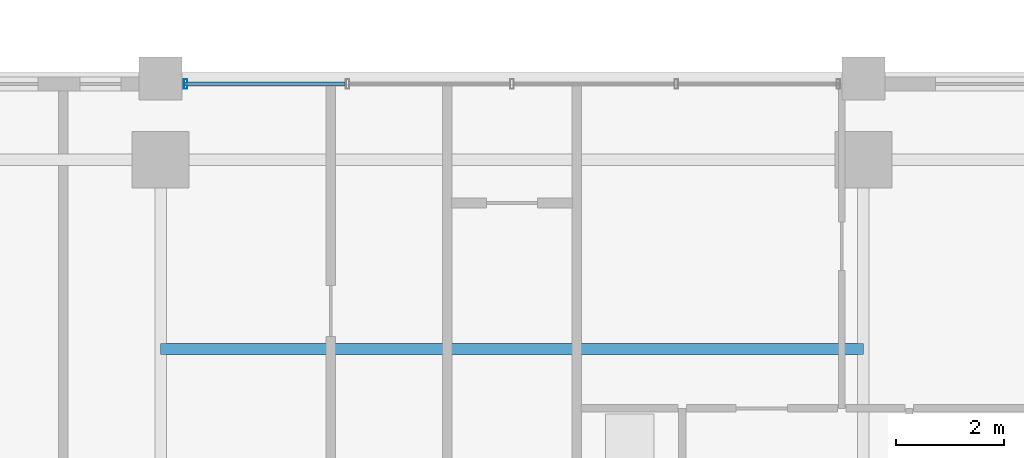
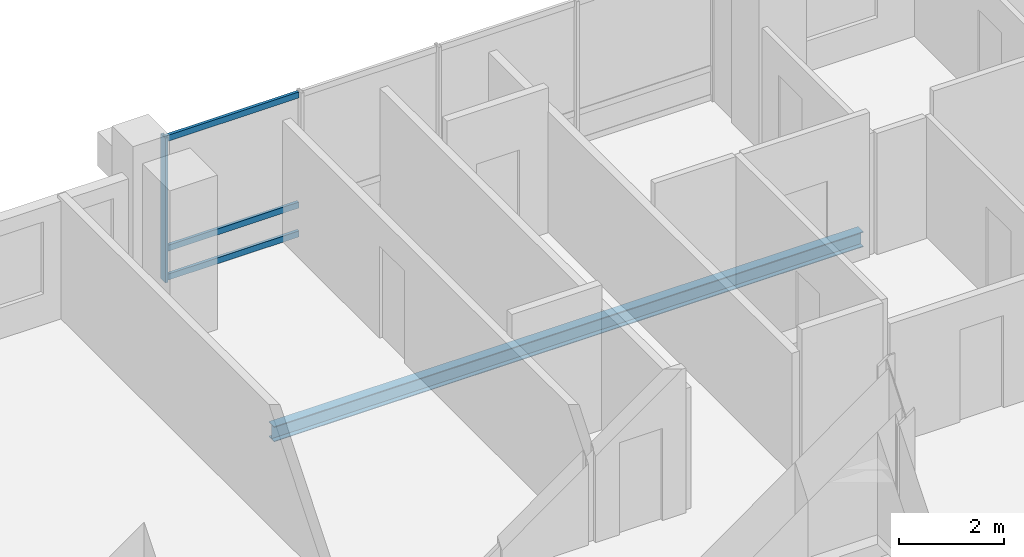
# One storey, part 13 of 24: 4 members, 1 beam, 1 element without a shape of its own.
"""IFC4 building model written with IfcOpenShell, lengths in metres."""

from ifc_helpers import new_model, si_unit, direction, frame, origin, origin_2d, place, context, subcontext, project, spatial, hollow_rectangle, i_section, extrude, material, layer, layer_set, material_profile, profile_set, type_object, element, aggregate, save


model = new_model("IFC4")

# Units and contexts
model_context = context("Model", 3, precision=1e-05, world=origin(), true_north=direction((0.0, 1.0)))
body_context = subcontext(model_context, "Body", "Model", "MODEL_VIEW")
ifc_project = project(units=[si_unit("LENGTHUNIT", "METRE"), si_unit("AREAUNIT", "SQUARE_METRE"), si_unit("VOLUMEUNIT", "CUBIC_METRE"), si_unit("PLANEANGLEUNIT", "RADIAN"), si_unit("MASSUNIT", "GRAM", prefix="KILO")], contexts=[model_context])

# Site, building, storey
site_placement = place(None, origin())
site = spatial("IfcSite", under=ifc_project, at=site_placement, CompositionType="ELEMENT")
building_placement = place(site_placement, origin())
building = spatial("IfcBuilding", under=site, at=building_placement, Name="Barlavira Tower and Art Museum", CompositionType="ELEMENT")
storey_placement = place(building_placement, frame((0.0, 0.0, 180.0)))
storey = spatial("IfcBuildingStorey", under=building, at=storey_placement, Name="L46", CompositionType="ELEMENT", Elevation=180.0)

# Curtain wall, members
ifc_material_1 = material(Name="Low-iron coastal laminated glass", Category="glass")
ifc_layer = layer(ifc_material_1, 0.199951171875, Name="Low-iron coastal laminated glass")
ifc_layer_set = layer_set([ifc_layer], Name="Low-iron coastal laminated glass")
curtain_wall_type = type_object("IfcCurtainWallType", Name="Pale-Metal Unitised Curtain Wall Zone 3", PredefinedType="NOTDEFINED", material=ifc_layer_set)
curtain_wall_placement = place(storey_placement, origin())
curtain_wall = element("IfcCurtainWall", 1, at=curtain_wall_placement, inside=storey, type_object=curtain_wall_type, Name="L46 Curtain Wall CW3-L46-N-B3", PredefinedType="NOTDEFINED")
ifc_material_2 = material(Name="Pale anodised aluminium", Category="aluminium")
ifc_material_profile_1 = material_profile(ifc_material_2, hollow_rectangle(XDim=0.06494140625, YDim=0.179931640625, WallThickness=0.00390625, at=origin_2d()), Name="ALU-MULL 65x180x4")
ifc_profile_set_1 = profile_set([ifc_material_profile_1], Name="Pale anodised aluminium")
member_type_1 = type_object("IfcMemberType", Name="Curtain Wall Pale-Metal Mullion 65x180", PredefinedType="MULLION", material=ifc_profile_set_1)
member_1_placement = place(storey_placement, frame((-6.034912109375, 21.39990234375, 0.0), z_axis=(0.0, 0.0, 1.0), x_axis=(-1.0, 0.0, 0.0)))
member_1 = element("IfcMember", 2, at=member_1_placement, type_object=member_type_1, Name="CW3-L46-N-B3 Mullion 4", PredefinedType="MULLION", context=body_context, shape_type="SweptSolid", body=[
    extrude(hollow_rectangle(XDim=0.06494140625, YDim=0.179931640625, WallThickness=0.00390625, at=origin_2d()), origin(), (0.0, 0.0, 1.0), 3.3798828125),
])
ifc_material_profile_2 = material_profile(ifc_material_2, hollow_rectangle(XDim=0.06494140625, YDim=0.139892578125, WallThickness=0.00390625, at=origin_2d()), Name="ALU-TRAN 65x140x4")
ifc_profile_set_2 = profile_set([ifc_material_profile_2], Name="Pale anodised aluminium")
member_type_2 = type_object("IfcMemberType", Name="Curtain Wall Pale-Metal Transom 65x140", PredefinedType="USERDEFINED", material=ifc_profile_set_2)
member_2_placement = place(storey_placement, frame((-3.0849609375, 21.39990234375, 0.070068359375), z_axis=(-1.0, 0.0, 0.0), x_axis=(0.0, -1.0, 0.0)))
member_2 = element("IfcMember", 3, at=member_2_placement, type_object=member_type_2, Name="CW3-L46-N-B3 Transom 3.1", ObjectType="TRANSOM", PredefinedType="USERDEFINED", context=body_context, shape_type="SweptSolid", body=[
    extrude(hollow_rectangle(XDim=0.06494140625, YDim=0.139892578125, WallThickness=0.00390625, at=origin_2d()), origin(), (0.0, 0.0, 1.0), 2.949951171875),
])
member_3_placement = place(storey_placement, frame((-3.0849609375, 21.39990234375, 0.743896484375), z_axis=(-1.0, 0.0, 0.0), x_axis=(0.0, -1.0, 0.0)))
member_3 = element("IfcMember", 4, at=member_3_placement, type_object=member_type_2, Name="CW3-L46-N-B3 Transom 3.2", ObjectType="TRANSOM", PredefinedType="USERDEFINED", context=body_context, shape_type="SweptSolid", body=[
    extrude(hollow_rectangle(XDim=0.06494140625, YDim=0.139892578125, WallThickness=0.00390625, at=origin_2d()), origin(), (0.0, 0.0, 1.0), 2.949951171875),
])
member_4_placement = place(storey_placement, frame((-3.0849609375, 21.39990234375, 3.31005859375), z_axis=(-1.0, 0.0, 0.0), x_axis=(0.0, -1.0, 0.0)))
member_4 = element("IfcMember", 5, at=member_4_placement, type_object=member_type_2, Name="CW3-L46-N-B3 Transom 3.3", ObjectType="TRANSOM", PredefinedType="USERDEFINED", context=body_context, shape_type="SweptSolid", body=[
    extrude(hollow_rectangle(XDim=0.06494140625, YDim=0.139892578125, WallThickness=0.00390625, at=origin_2d()), origin(), (0.0, 0.0, 1.0), 2.949951171875),
])
aggregate(curtain_wall, [member_1, member_2, member_3, member_4])

# Beam
ifc_material_3 = material(Name="Steel S355", Category="steel")
ifc_material_profile_3 = material_profile(ifc_material_3, i_section(OverallWidth=0.205078125, OverallDepth=0.35400390625, WebThickness=0.009521484375, FlangeThickness=0.016845703125, at=origin_2d()), Name="W360x79.0")
ifc_profile_set_3 = profile_set([ifc_material_profile_3], Name="Steel S355")
beam_type = type_object("IfcBeamType", Name="Zone 3 Composite Floor Joist W360x79 Steel S355", PredefinedType="JOIST", material=ifc_profile_set_3)
beam_placement = place(storey_placement, frame((-6.5, 16.5, -0.39697265625), z_axis=(1.0, 0.0, 0.0), x_axis=(0.0, 1.0, 0.0)))
element("IfcBeam", 6, at=beam_placement, inside=storey, type_object=beam_type, Name="L46 Joist C2", PredefinedType="JOIST", context=body_context, shape_type="SweptSolid", body=[
    extrude(i_section(OverallWidth=0.205078125, OverallDepth=0.35400390625, WebThickness=0.009521484375, FlangeThickness=0.016845703125, at=origin_2d()), origin(), (0.0, 0.0, 1.0), 13.0),
])

save(model, "model.ifc")
